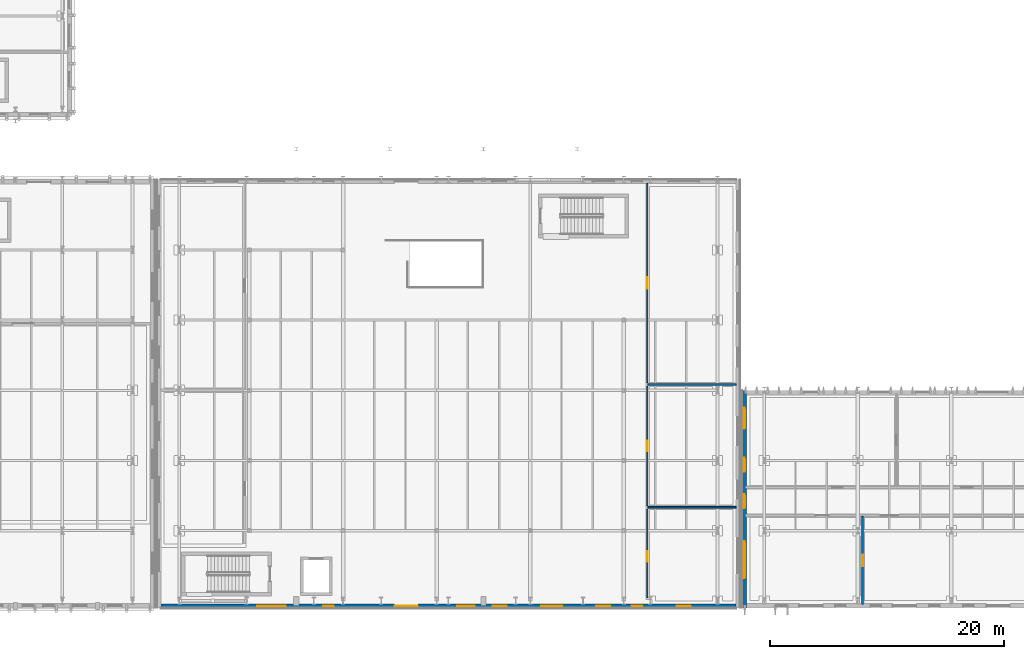
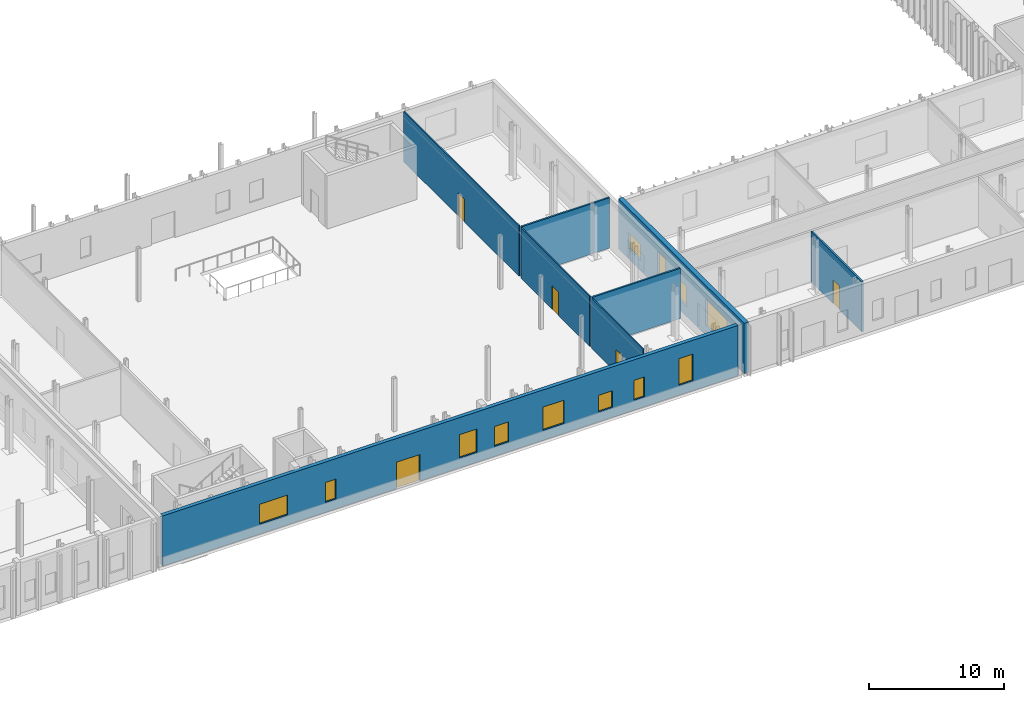
# One storey, part 26 of 60: 12 windows, 8 walls, 5 doors, 17 openings.
"""IFC4 building model written with IfcOpenShell, lengths in metres."""

from ifc_helpers import new_model, si_unit, direction, frame, frame_2d, origin, place, context, subcontext, project, spatial, rectangle, extrude, material, layer, layer_set, type_object, element, fill, save


model = new_model("IFC4")

# Units and contexts
model_context = context("Model", 3, precision=1e-05, world=origin(), true_north=direction((0.0, 1.0)))
body_context = subcontext(model_context, "Body", "Model", "MODEL_VIEW")
ifc_project = project(units=[si_unit("LENGTHUNIT", "METRE"), si_unit("AREAUNIT", "SQUARE_METRE"), si_unit("VOLUMEUNIT", "CUBIC_METRE"), si_unit("PLANEANGLEUNIT", "RADIAN"), si_unit("MASSUNIT", "GRAM", prefix="KILO")], contexts=[model_context])

# Site, building, storey
site_placement = place(None, origin())
site = spatial("IfcSite", under=ifc_project, at=site_placement, CompositionType="ELEMENT")
building_placement = place(site_placement, origin())
building = spatial("IfcBuilding", under=site, at=building_placement, Name="Cymarion Research Institute", CompositionType="ELEMENT")
storey_placement = place(building_placement, origin())
storey = spatial("IfcBuildingStorey", under=building, at=storey_placement, Name="L00", CompositionType="ELEMENT", Elevation=0.0)

# Wall, openings, windows
ifc_material_1 = material(Name="Precast concrete C40/50", Category="concrete")
ifc_layer_1 = layer(ifc_material_1, 0.3798828125)
ifc_layer_set_1 = layer_set([ifc_layer_1], Name="Precast concrete C40/50")
wall_type_1 = type_object("IfcWallType", Name="EXTERIOR WALL EW-PC380 380MM", PredefinedType="SOLIDWALL", material=ifc_layer_set_1)
wall_1_placement = place(storey_placement, frame((104.889892578125, 23.5, 0.0), z_axis=(0.0, 0.0, 1.0), x_axis=(0.0, -1.0, 0.0)))
wall_1 = element("IfcWall", 1, at=wall_1_placement, inside=storey, type_object=wall_type_1, Name="L00 V1 exterior wall EW-PC380 #54", PredefinedType="SOLIDWALL", context=body_context, shape_type="SweptSolid", body=[
    extrude(rectangle(XDim=18.60009765625, YDim=0.3798828125, at=frame_2d((9.300048828125, 0.0))), origin(), (0.0, 0.0, 1.0), 4.550048828125),
])
opening_1_placement = place(wall_1_placement, frame((1.489990234375, 0.0, 0.89990234375)))
opening_1 = element("IfcOpeningElement", 2, at=opening_1_placement, cuts=wall_1, Name="Opening W17", PredefinedType="OPENING", context=body_context, shape_type="SweptSolid", body=[
    extrude(rectangle(XDim=1.800048828125, YDim=1.5, at=frame_2d((0.89990234375, 0.75))), frame((0.0, 0.199951171875, 0.0), z_axis=(0.0, -1.0, 0.0), x_axis=(1.0, 0.0, 0.0)), (0.0, 0.0, 1.0), 0.39990234375),
])
opening_2_placement = place(wall_1_placement, frame((5.77001953125, 0.0, 0.89990234375)))
opening_2 = element("IfcOpeningElement", 3, at=opening_2_placement, cuts=wall_1, Name="Opening W19", PredefinedType="OPENING", context=body_context, shape_type="SweptSolid", body=[
    extrude(rectangle(XDim=1.199951171875, YDim=2.39990234375, at=frame_2d((0.60009765625, 1.199951171875))), frame((0.0, 0.199951171875, 0.0), z_axis=(0.0, -1.0, 0.0), x_axis=(1.0, 0.0, 0.0)), (0.0, 0.0, 1.0), 0.39990234375),
])
opening_3_placement = place(wall_1_placement, frame((8.89990234375, 0.0, 0.89990234375)))
opening_3 = element("IfcOpeningElement", 4, at=opening_3_placement, cuts=wall_1, Name="Opening W01", PredefinedType="OPENING", context=body_context, shape_type="SweptSolid", body=[
    extrude(rectangle(XDim=1.199951171875, YDim=1.800048828125, at=frame_2d((0.60009765625, 0.89990234375))), frame((0.0, 0.199951171875, 0.0), z_axis=(0.0, -1.0, 0.0), x_axis=(1.0, 0.0, 0.0)), (0.0, 0.0, 1.0), 0.39990234375),
])
opening_4_placement = place(wall_1_placement, frame((12.8798828125, 0.0, 0.89990234375)))
opening_4 = element("IfcOpeningElement", 5, at=opening_4_placement, cuts=wall_1, Name="Opening W23", PredefinedType="OPENING", context=body_context, shape_type="SweptSolid", body=[
    extrude(rectangle(XDim=3.199951171875, YDim=2.39990234375, at=frame_2d((1.60009765625, 1.199951171875))), frame((0.0, 0.199951171875, 0.0), z_axis=(0.0, -1.0, 0.0), x_axis=(1.0, 0.0, 0.0)), (0.0, 0.0, 1.0), 0.39990234375),
])
ifc_material_2 = material(Name="Thermally broken aluminium window with Low-E glazing", Category="aluminium")
window_type_1 = type_object("IfcWindowType", Name="THERMALLY BROKEN ALUMINIUM WINDOW W01 1200X1800", PartitioningType="SINGLE_PANEL", PredefinedType="WINDOW", material=ifc_material_2)
window_1_placement = place(opening_3_placement, origin())
window_1 = element("IfcWindow", 6, at=window_1_placement, inside=storey, type_object=window_type_1, Name="L00 V1 facade window W01 #36", OverallHeight=1.800048828125, OverallWidth=1.199951171875, PartitioningType="SINGLE_PANEL", PredefinedType="WINDOW", context=body_context, shape_type="SweptSolid", body=[
    extrude(rectangle(XDim=1.199951171875, YDim=1.800048828125, at=frame_2d((0.60009765625, 0.89990234375))), frame((0.0, 0.030029296875, 0.0), z_axis=(0.0, -1.0, 0.0), x_axis=(1.0, 0.0, 0.0)), (0.0, 0.0, 1.0), 0.06005859375),
])
fill(opening_3, window_1)
window_type_2 = type_object("IfcWindowType", Name="THERMALLY BROKEN ALUMINIUM WINDOW W17 1800X1500", PartitioningType="DOUBLE_PANEL_HORIZONTAL", PredefinedType="WINDOW", material=ifc_material_2)
window_2_placement = place(opening_1_placement, origin())
window_2 = element("IfcWindow", 7, at=window_2_placement, inside=storey, type_object=window_type_2, Name="L00 V1 facade window W17 #34", OverallHeight=1.5, OverallWidth=1.800048828125, PartitioningType="SINGLE_PANEL", PredefinedType="WINDOW", context=body_context, shape_type="SweptSolid", body=[
    extrude(rectangle(XDim=1.800048828125, YDim=1.5, at=frame_2d((0.89990234375, 0.75))), frame((0.0, 0.030029296875, 0.0), z_axis=(0.0, -1.0, 0.0), x_axis=(1.0, 0.0, 0.0)), (0.0, 0.0, 1.0), 0.06005859375),
])
fill(opening_1, window_2)
window_type_3 = type_object("IfcWindowType", Name="THERMALLY BROKEN ALUMINIUM WINDOW W19 1200X2400", PartitioningType="SINGLE_PANEL", PredefinedType="WINDOW", material=ifc_material_2)
window_3_placement = place(opening_2_placement, origin())
window_3 = element("IfcWindow", 8, at=window_3_placement, inside=storey, type_object=window_type_3, Name="L00 V1 facade window W19 #35", OverallHeight=2.39990234375, OverallWidth=1.199951171875, PartitioningType="SINGLE_PANEL", PredefinedType="WINDOW", context=body_context, shape_type="SweptSolid", body=[
    extrude(rectangle(XDim=1.199951171875, YDim=2.39990234375, at=frame_2d((0.60009765625, 1.199951171875))), frame((0.0, 0.030029296875, 0.0), z_axis=(0.0, -1.0, 0.0), x_axis=(1.0, 0.0, 0.0)), (0.0, 0.0, 1.0), 0.06005859375),
])
fill(opening_2, window_3)
window_type_4 = type_object("IfcWindowType", Name="THERMALLY BROKEN ALUMINIUM WINDOW W23 3200X2400", PartitioningType="TRIPLE_PANEL_VERTICAL", PredefinedType="WINDOW", material=ifc_material_2)
window_4_placement = place(opening_4_placement, origin())
window_4 = element("IfcWindow", 9, at=window_4_placement, inside=storey, type_object=window_type_4, Name="L00 V1 facade window W23 #37", OverallHeight=2.39990234375, OverallWidth=3.199951171875, PartitioningType="SINGLE_PANEL", PredefinedType="WINDOW", context=body_context, shape_type="SweptSolid", body=[
    extrude(rectangle(XDim=3.199951171875, YDim=2.39990234375, at=frame_2d((1.60009765625, 1.199951171875))), frame((0.0, 0.030029296875, 0.0), z_axis=(0.0, -1.0, 0.0), x_axis=(1.0, 0.0, 0.0)), (0.0, 0.0, 1.0), 0.06005859375),
])
fill(opening_4, window_4)

# Wall, openings, door, windows
ifc_material_3 = material(Name="Concrete C40/50", Category="concrete")
ifc_layer_2 = layer(ifc_material_3, 0.320068359375)
ifc_layer_set_2 = layer_set([ifc_layer_2], Name="Concrete C40/50")
wall_type_2 = type_object("IfcWallType", Name="EXTERIOR WALL EW-RC320 320MM", PredefinedType="SHEAR", material=ifc_layer_set_2)
wall_2_placement = place(storey_placement, frame((55.001953125, 5.06005859375, 0.0), z_axis=(0.0, 0.0, 1.0), x_axis=(1.0, 0.0, 0.0)))
wall_2 = element("IfcWall", 10, at=wall_2_placement, inside=storey, type_object=wall_type_2, Name="L00 V2 exterior wall EW-RC320 #55", PredefinedType="SHEAR", context=body_context, shape_type="SweptSolid", body=[
    extrude(rectangle(XDim=49.196044921875, YDim=0.320068359375, at=frame_2d((24.59814453125, 0.0))), origin(), (0.0, 0.0, 1.0), 4.550048828125),
])
opening_5_placement = place(wall_2_placement, frame((19.998046875, 0.0, 0.0)))
opening_5 = element("IfcOpeningElement", 11, at=opening_5_placement, cuts=wall_2, Name="Opening D-EX06", PredefinedType="OPENING", context=body_context, shape_type="SweptSolid", body=[
    extrude(rectangle(XDim=2.0, YDim=2.39990234375, at=frame_2d((1.0, 1.199951171875))), frame((0.0, 0.169921875, 0.0), z_axis=(0.0, -1.0, 0.0), x_axis=(1.0, 0.0, 0.0)), (0.0, 0.0, 1.0), 0.340087890625),
])
opening_6_placement = place(wall_2_placement, frame((8.282958984375, 0.0, 0.89990234375)))
opening_6 = element("IfcOpeningElement", 12, at=opening_6_placement, cuts=wall_2, Name="Opening W05", PredefinedType="OPENING", context=body_context, shape_type="SweptSolid", body=[
    extrude(rectangle(XDim=2.39990234375, YDim=1.800048828125, at=frame_2d((1.199951171875, 0.89990234375))), frame((0.0, 0.169921875, 0.0), z_axis=(0.0, -1.0, 0.0), x_axis=(1.0, 0.0, 0.0)), (0.0, 0.0, 1.0), 0.340087890625),
])
opening_7_placement = place(wall_2_placement, frame((13.89794921875, 0.0, 0.89990234375)))
opening_7 = element("IfcOpeningElement", 13, at=opening_7_placement, cuts=wall_2, Name="Opening W24", PredefinedType="OPENING", context=body_context, shape_type="SweptSolid", body=[
    extrude(rectangle(XDim=0.89990234375, YDim=1.800048828125, at=frame_2d((0.449951171875, 0.89990234375))), frame((0.0, 0.169921875, 0.0), z_axis=(0.0, -1.0, 0.0), x_axis=(1.0, 0.0, 0.0)), (0.0, 0.0, 1.0), 0.340087890625),
])
opening_8_placement = place(wall_2_placement, frame((25.347900390625, 0.0, 0.89990234375)))
opening_8 = element("IfcOpeningElement", 14, at=opening_8_placement, cuts=wall_2, Name="Opening W09", PredefinedType="OPENING", context=body_context, shape_type="SweptSolid", body=[
    extrude(rectangle(XDim=1.5, YDim=2.10009765625, at=frame_2d((0.75, 1.050048828125))), frame((0.0, 0.169921875, 0.0), z_axis=(0.0, -1.0, 0.0), x_axis=(1.0, 0.0, 0.0)), (0.0, 0.0, 1.0), 0.340087890625),
])
opening_9_placement = place(wall_2_placement, frame((28.373046875, 0.0, 0.89990234375)))
opening_9 = element("IfcOpeningElement", 15, at=opening_9_placement, cuts=wall_2, Name="Opening W01", PredefinedType="OPENING", context=body_context, shape_type="SweptSolid", body=[
    extrude(rectangle(XDim=1.199951171875, YDim=1.800048828125, at=frame_2d((0.60009765625, 0.89990234375))), frame((0.0, 0.169921875, 0.0), z_axis=(0.0, -1.0, 0.0), x_axis=(1.0, 0.0, 0.0)), (0.0, 0.0, 1.0), 0.340087890625),
])
opening_10_placement = place(wall_2_placement, frame((32.51806640625, 0.0, 0.89990234375)))
opening_10 = element("IfcOpeningElement", 16, at=opening_10_placement, cuts=wall_2, Name="Opening W10", PredefinedType="OPENING", context=body_context, shape_type="SweptSolid", body=[
    extrude(rectangle(XDim=1.800048828125, YDim=2.10009765625, at=frame_2d((0.89990234375, 1.050048828125))), frame((0.0, 0.169921875, 0.0), z_axis=(0.0, -1.0, 0.0), x_axis=(1.0, 0.0, 0.0)), (0.0, 0.0, 1.0), 0.340087890625),
])
opening_11_placement = place(wall_2_placement, frame((37.248046875, 0.0, 0.89990234375)))
opening_11 = element("IfcOpeningElement", 17, at=opening_11_placement, cuts=wall_2, Name="Opening W15", PredefinedType="OPENING", context=body_context, shape_type="SweptSolid", body=[
    extrude(rectangle(XDim=1.199951171875, YDim=1.5, at=frame_2d((0.60009765625, 0.75))), frame((0.0, 0.169921875, 0.0), z_axis=(0.0, -1.0, 0.0), x_axis=(1.0, 0.0, 0.0)), (0.0, 0.0, 1.0), 0.340087890625),
])
opening_12_placement = place(wall_2_placement, frame((40.26806640625, 0.0, 0.89990234375)))
opening_12 = element("IfcOpeningElement", 18, at=opening_12_placement, cuts=wall_2, Name="Opening W24", PredefinedType="OPENING", context=body_context, shape_type="SweptSolid", body=[
    extrude(rectangle(XDim=0.89990234375, YDim=1.800048828125, at=frame_2d((0.449951171875, 0.89990234375))), frame((0.0, 0.169921875, 0.0), z_axis=(0.0, -1.0, 0.0), x_axis=(1.0, 0.0, 0.0)), (0.0, 0.0, 1.0), 0.340087890625),
])
opening_13_placement = place(wall_2_placement, frame((44.123046875, 0.0, 0.89990234375)))
opening_13 = element("IfcOpeningElement", 19, at=opening_13_placement, cuts=wall_2, Name="Opening W19", PredefinedType="OPENING", context=body_context, shape_type="SweptSolid", body=[
    extrude(rectangle(XDim=1.199951171875, YDim=2.39990234375, at=frame_2d((0.60009765625, 1.199951171875))), frame((0.0, 0.169921875, 0.0), z_axis=(0.0, -1.0, 0.0), x_axis=(1.0, 0.0, 0.0)), (0.0, 0.0, 1.0), 0.340087890625),
])
ifc_material_4 = material(Name="Thermally broken anodised aluminium glazed door", Category="aluminium")
door_type_1 = type_object("IfcDoorType", Name="GLAZED ALUMINIUM DOUBLE EXIT DOOR DT-EX200 2000X2400", OperationType="DOUBLE_DOOR_SINGLE_SWING", PredefinedType="DOOR", material=ifc_material_4)
door_1_placement = place(opening_5_placement, frame((2.0, 0.0, 0.0), z_axis=(0.0, 0.0, 1.0), x_axis=(-1.0, 0.0, 0.0)))
door_1 = element("IfcDoor", 20, at=door_1_placement, inside=storey, type_object=door_type_1, Name="L00 V2 Final Exit Door D-EX06", OperationType="DOUBLE_DOOR_SINGLE_SWING", OverallHeight=2.39990234375, OverallWidth=2.0, PredefinedType="DOOR", context=body_context, shape_type="SweptSolid", body=[
    extrude(rectangle(XDim=2.0, YDim=2.39990234375, at=frame_2d((1.0, 1.199951171875))), frame((0.0, 0.02490234375, 0.0), z_axis=(0.0, -1.0, 0.0), x_axis=(1.0, 0.0, 0.0)), (0.0, 0.0, 1.0), 0.050048828125),
])
fill(opening_5, door_1)
window_5_placement = place(opening_9_placement, origin())
window_5 = element("IfcWindow", 21, at=window_5_placement, inside=storey, type_object=window_type_1, Name="L00 V2 facade window W01 #41", OverallHeight=1.800048828125, OverallWidth=1.199951171875, PartitioningType="SINGLE_PANEL", PredefinedType="WINDOW", context=body_context, shape_type="SweptSolid", body=[
    extrude(rectangle(XDim=1.199951171875, YDim=1.800048828125, at=frame_2d((0.60009765625, 0.89990234375))), frame((0.0, 0.030029296875, 0.0), z_axis=(0.0, -1.0, 0.0), x_axis=(1.0, 0.0, 0.0)), (0.0, 0.0, 1.0), 0.06005859375),
])
fill(opening_9, window_5)
window_type_5 = type_object("IfcWindowType", Name="THERMALLY BROKEN ALUMINIUM WINDOW W05 2400X1800", PartitioningType="TRIPLE_PANEL_VERTICAL", PredefinedType="WINDOW", material=ifc_material_2)
window_6_placement = place(opening_6_placement, origin())
window_6 = element("IfcWindow", 22, at=window_6_placement, inside=storey, type_object=window_type_5, Name="L00 V2 facade window W05 #38", OverallHeight=1.800048828125, OverallWidth=2.39990234375, PartitioningType="SINGLE_PANEL", PredefinedType="WINDOW", context=body_context, shape_type="SweptSolid", body=[
    extrude(rectangle(XDim=2.39990234375, YDim=1.800048828125, at=frame_2d((1.199951171875, 0.89990234375))), frame((0.0, 0.030029296875, 0.0), z_axis=(0.0, -1.0, 0.0), x_axis=(1.0, 0.0, 0.0)), (0.0, 0.0, 1.0), 0.06005859375),
])
fill(opening_6, window_6)
window_type_6 = type_object("IfcWindowType", Name="THERMALLY BROKEN ALUMINIUM WINDOW W09 1500X2100", PartitioningType="DOUBLE_PANEL_VERTICAL", PredefinedType="WINDOW", material=ifc_material_2)
window_7_placement = place(opening_8_placement, origin())
window_7 = element("IfcWindow", 23, at=window_7_placement, inside=storey, type_object=window_type_6, Name="L00 V2 facade window W09 #40", OverallHeight=2.10009765625, OverallWidth=1.5, PartitioningType="SINGLE_PANEL", PredefinedType="WINDOW", context=body_context, shape_type="SweptSolid", body=[
    extrude(rectangle(XDim=1.5, YDim=2.10009765625, at=frame_2d((0.75, 1.050048828125))), frame((0.0, 0.030029296875, 0.0), z_axis=(0.0, -1.0, 0.0), x_axis=(1.0, 0.0, 0.0)), (0.0, 0.0, 1.0), 0.06005859375),
])
fill(opening_8, window_7)
window_type_7 = type_object("IfcWindowType", Name="THERMALLY BROKEN ALUMINIUM WINDOW W10 1800X2100", PartitioningType="DOUBLE_PANEL_VERTICAL", PredefinedType="WINDOW", material=ifc_material_2)
window_8_placement = place(opening_10_placement, origin())
window_8 = element("IfcWindow", 24, at=window_8_placement, inside=storey, type_object=window_type_7, Name="L00 V2 facade window W10 #42", OverallHeight=2.10009765625, OverallWidth=1.800048828125, PartitioningType="SINGLE_PANEL", PredefinedType="WINDOW", context=body_context, shape_type="SweptSolid", body=[
    extrude(rectangle(XDim=1.800048828125, YDim=2.10009765625, at=frame_2d((0.89990234375, 1.050048828125))), frame((0.0, 0.030029296875, 0.0), z_axis=(0.0, -1.0, 0.0), x_axis=(1.0, 0.0, 0.0)), (0.0, 0.0, 1.0), 0.06005859375),
])
fill(opening_10, window_8)
window_type_8 = type_object("IfcWindowType", Name="THERMALLY BROKEN ALUMINIUM WINDOW W15 1200X1500", PartitioningType="SINGLE_PANEL", PredefinedType="WINDOW", material=ifc_material_2)
window_9_placement = place(opening_11_placement, origin())
window_9 = element("IfcWindow", 25, at=window_9_placement, inside=storey, type_object=window_type_8, Name="L00 V2 facade window W15 #43", OverallHeight=1.5, OverallWidth=1.199951171875, PartitioningType="SINGLE_PANEL", PredefinedType="WINDOW", context=body_context, shape_type="SweptSolid", body=[
    extrude(rectangle(XDim=1.199951171875, YDim=1.5, at=frame_2d((0.60009765625, 0.75))), frame((0.0, 0.030029296875, 0.0), z_axis=(0.0, -1.0, 0.0), x_axis=(1.0, 0.0, 0.0)), (0.0, 0.0, 1.0), 0.06005859375),
])
fill(opening_11, window_9)
window_10_placement = place(opening_13_placement, origin())
window_10 = element("IfcWindow", 26, at=window_10_placement, inside=storey, type_object=window_type_3, Name="L00 V2 facade window W19 #45", OverallHeight=2.39990234375, OverallWidth=1.199951171875, PartitioningType="SINGLE_PANEL", PredefinedType="WINDOW", context=body_context, shape_type="SweptSolid", body=[
    extrude(rectangle(XDim=1.199951171875, YDim=2.39990234375, at=frame_2d((0.60009765625, 1.199951171875))), frame((0.0, 0.030029296875, 0.0), z_axis=(0.0, -1.0, 0.0), x_axis=(1.0, 0.0, 0.0)), (0.0, 0.0, 1.0), 0.06005859375),
])
fill(opening_13, window_10)
window_type_9 = type_object("IfcWindowType", Name="THERMALLY BROKEN ALUMINIUM WINDOW W24 900X1800", PartitioningType="SINGLE_PANEL", PredefinedType="WINDOW", material=ifc_material_2)
window_11_placement = place(opening_7_placement, origin())
window_11 = element("IfcWindow", 27, at=window_11_placement, inside=storey, type_object=window_type_9, Name="L00 V2 facade window W24 #39", OverallHeight=1.800048828125, OverallWidth=0.89990234375, PartitioningType="SINGLE_PANEL", PredefinedType="WINDOW", context=body_context, shape_type="SweptSolid", body=[
    extrude(rectangle(XDim=0.89990234375, YDim=1.800048828125, at=frame_2d((0.449951171875, 0.89990234375))), frame((0.0, 0.030029296875, 0.0), z_axis=(0.0, -1.0, 0.0), x_axis=(1.0, 0.0, 0.0)), (0.0, 0.0, 1.0), 0.06005859375),
])
fill(opening_7, window_11)
window_12_placement = place(opening_12_placement, origin())
window_12 = element("IfcWindow", 28, at=window_12_placement, inside=storey, type_object=window_type_9, Name="L00 V2 facade window W24 #44", OverallHeight=1.800048828125, OverallWidth=0.89990234375, PartitioningType="SINGLE_PANEL", PredefinedType="WINDOW", context=body_context, shape_type="SweptSolid", body=[
    extrude(rectangle(XDim=0.89990234375, YDim=1.800048828125, at=frame_2d((0.449951171875, 0.89990234375))), frame((0.0, 0.030029296875, 0.0), z_axis=(0.0, -1.0, 0.0), x_axis=(1.0, 0.0, 0.0)), (0.0, 0.0, 1.0), 0.06005859375),
])
fill(opening_12, window_12)

# Wall, opening, door
ifc_material_5 = material(Name="Gypsum acoustic double-stud partition", Category="gypsum")
ifc_layer_3 = layer(ifc_material_5, 0.14990234375)
ifc_layer_set_3 = layer_set([ifc_layer_3], Name="Gypsum acoustic double-stud partition")
wall_type_3 = type_object("IfcWallType", Name="INTERIOR PARTITION IW-AC150 150MM", PredefinedType="PARTITIONING", material=ifc_layer_set_3)
wall_3_placement = place(storey_placement, frame((115.0, 5.205078125, 0.0), z_axis=(0.0, 0.0, 1.0), x_axis=(0.0, 1.0, 0.0)))
wall_3 = element("IfcWall", 29, at=wall_3_placement, inside=storey, type_object=wall_type_3, Name="L00 V1 interior partition IW-AC150 #56", PredefinedType="PARTITIONING", context=body_context, shape_type="SweptSolid", body=[
    extrude(rectangle(XDim=7.514892578125, YDim=0.14990234375, at=frame_2d((3.75732421875, 0.0))), origin(), (0.0, 0.0, 1.0), 4.550048828125),
])
opening_14_placement = place(wall_3_placement, frame((3.258056640625, 0.0, 0.0)))
opening_14 = element("IfcOpeningElement", 30, at=opening_14_placement, cuts=wall_3, Name="Opening D-L00-040", PredefinedType="OPENING", context=body_context, shape_type="SweptSolid", body=[
    extrude(rectangle(XDim=1.0, YDim=2.14990234375, at=frame_2d((0.5, 1.074951171875))), frame((0.0, 0.0849609375, 0.0), z_axis=(0.0, -1.0, 0.0), x_axis=(1.0, 0.0, 0.0)), (0.0, 0.0, 1.0), 0.169921875),
])
ifc_material_6 = material(Name="Flush acoustic timber/steel door assembly", Category="steel")
door_type_2 = type_object("IfcDoorType", Name="LABORATORY SINGLE LEAF DOOR DT-LB100 1000X2150", OperationType="NOTDEFINED", PredefinedType="DOOR", material=ifc_material_6)
door_2_placement = place(opening_14_placement, origin())
door_2 = element("IfcDoor", 31, at=door_2_placement, inside=storey, type_object=door_type_2, Name="L00 Inter-lab door D-L00-040", OperationType="SINGLE_SWING_LEFT", OverallHeight=2.14990234375, OverallWidth=1.0, PredefinedType="DOOR", context=body_context, shape_type="SweptSolid", body=[
    extrude(rectangle(XDim=1.0, YDim=2.14990234375, at=frame_2d((0.5, 1.074951171875))), frame((0.0, 0.02490234375, 0.0), z_axis=(0.0, -1.0, 0.0), x_axis=(1.0, 0.0, 0.0)), (0.0, 0.0, 1.0), 0.050048828125),
])
fill(opening_14, door_2)

# Walls
for number, where, z_axis, x_axis, name in (
    (32, (96.64990234375, 13.5, 0.0), (0.0, 0.0, 1.0), (1.0, 0.0, 0.0), "L00 V2 interior partition IW-AC150 #68"),
    (33, (96.64990234375, 24.0, 0.0), (0.0, 0.0, 1.0), (1.0, 0.0, 0.0), "L00 V2 interior partition IW-AC150 #69"),
):
    element("IfcWall", number, at=place(storey_placement, frame(where, z_axis=z_axis, x_axis=x_axis)), inside=storey, type_object=wall_type_3, Name=name, PredefinedType="PARTITIONING", context=body_context, shape_type="SweptSolid", body=[
        extrude(rectangle(XDim=7.545166015625, YDim=0.14990234375, at=frame_2d((3.7724609375, 0.0))), origin(), (0.0, 0.0, 1.0), 4.550048828125),
    ])

# Wall, opening, door
ifc_material_7 = material(Name="Framed acoustic glass laboratory screen", Category="glass")
ifc_layer_4 = layer(ifc_material_7, 0.10009765625)
ifc_layer_set_4 = layer_set([ifc_layer_4], Name="Framed acoustic glass laboratory screen")
wall_type_4 = type_object("IfcWallType", Name="INTERIOR PARTITION IW-GL100 100MM", PredefinedType="PARTITIONING", material=ifc_layer_set_4)
wall_4_placement = place(storey_placement, frame((96.60009765625, 5.75, 0.0), z_axis=(0.0, 0.0, 1.0), x_axis=(0.0, 1.0, 0.0)))
wall_4 = element("IfcWall", 34, at=wall_4_placement, inside=storey, type_object=wall_type_4, Name="L00 V2 interior partition IW-GL100 #70", PredefinedType="PARTITIONING", context=body_context, shape_type="SweptSolid", body=[
    extrude(rectangle(XDim=7.60009765625, YDim=0.10009765625, at=frame_2d((3.800048828125, 0.0))), origin(), (0.0, 0.0, 1.0), 4.550048828125),
])
opening_15_placement = place(wall_4_placement, frame((3.110107421875, 0.0, 0.0)))
opening_15 = element("IfcOpeningElement", 35, at=opening_15_placement, cuts=wall_4, Name="Opening D-L00-049", PredefinedType="OPENING", context=body_context, shape_type="SweptSolid", body=[
    extrude(rectangle(XDim=0.89990234375, YDim=2.10009765625, at=frame_2d((0.449951171875, 1.050048828125))), frame((0.0, 0.06005859375, 0.0), z_axis=(0.0, -1.0, 0.0), x_axis=(1.0, 0.0, 0.0)), (0.0, 0.0, 1.0), 0.1201171875),
])
door_type_3 = type_object("IfcDoorType", Name="ACCESSIBLE RESTROOM DOOR DT-WC090 900X2100", OperationType="NOTDEFINED", PredefinedType="DOOR", material=ifc_material_6)
door_3_placement = place(opening_15_placement, origin())
door_3 = element("IfcDoor", 36, at=door_3_placement, inside=storey, type_object=door_type_3, Name="L00 Public Restroom door D-L00-049", OperationType="SINGLE_SWING_RIGHT", OverallHeight=2.10009765625, OverallWidth=0.89990234375, PredefinedType="DOOR", context=body_context, shape_type="SweptSolid", body=[
    extrude(rectangle(XDim=0.89990234375, YDim=2.10009765625, at=frame_2d((0.449951171875, 1.050048828125))), frame((0.0, 0.02490234375, 0.0), z_axis=(0.0, -1.0, 0.0), x_axis=(1.0, 0.0, 0.0)), (0.0, 0.0, 1.0), 0.050048828125),
])
fill(opening_15, door_3)

wall_5_placement = place(storey_placement, frame((96.60009765625, 13.64990234375, 0.0), z_axis=(0.0, 0.0, 1.0), x_axis=(0.0, 1.0, 0.0)))
wall_5 = element("IfcWall", 37, at=wall_5_placement, inside=storey, type_object=wall_type_4, Name="L00 V2 interior partition IW-GL100 #71", PredefinedType="PARTITIONING", context=body_context, shape_type="SweptSolid", body=[
    extrude(rectangle(XDim=10.2001953125, YDim=0.10009765625, at=frame_2d((5.10009765625, 0.0))), origin(), (0.0, 0.0, 1.0), 4.550048828125),
])
opening_16_placement = place(wall_5_placement, frame((4.64990234375, 0.0, 0.0)))
opening_16 = element("IfcOpeningElement", 38, at=opening_16_placement, cuts=wall_5, Name="Opening D-L00-050", PredefinedType="OPENING", context=body_context, shape_type="SweptSolid", body=[
    extrude(rectangle(XDim=0.89990234375, YDim=2.10009765625, at=frame_2d((0.449951171875, 1.050048828125))), frame((0.0, 0.06005859375, 0.0), z_axis=(0.0, -1.0, 0.0), x_axis=(1.0, 0.0, 0.0)), (0.0, 0.0, 1.0), 0.1201171875),
])
door_type_4 = type_object("IfcDoorType", Name="RESEARCH WRITE-UP OFFICE DOOR DT-OF090 900X2100", OperationType="NOTDEFINED", PredefinedType="DOOR", material=ifc_material_6)
door_4_placement = place(opening_16_placement, origin())
door_4 = element("IfcDoor", 39, at=door_4_placement, inside=storey, type_object=door_type_4, Name="L00 Seminar door D-L00-050", OperationType="SINGLE_SWING_LEFT", OverallHeight=2.10009765625, OverallWidth=0.89990234375, PredefinedType="DOOR", context=body_context, shape_type="SweptSolid", body=[
    extrude(rectangle(XDim=0.89990234375, YDim=2.10009765625, at=frame_2d((0.449951171875, 1.050048828125))), frame((0.0, 0.02490234375, 0.0), z_axis=(0.0, -1.0, 0.0), x_axis=(1.0, 0.0, 0.0)), (0.0, 0.0, 1.0), 0.050048828125),
])
fill(opening_16, door_4)

wall_6_placement = place(storey_placement, frame((96.60009765625, 24.14990234375, 0.0), z_axis=(0.0, 0.0, 1.0), x_axis=(0.0, 1.0, 0.0)))
wall_6 = element("IfcWall", 40, at=wall_6_placement, inside=storey, type_object=wall_type_4, Name="L00 V2 interior partition IW-GL100 #72", PredefinedType="PARTITIONING", context=body_context, shape_type="SweptSolid", body=[
    extrude(rectangle(XDim=17.045166015625, YDim=0.10009765625, at=frame_2d((8.5224609375, 0.0))), origin(), (0.0, 0.0, 1.0), 4.550048828125),
])
opening_17_placement = place(wall_6_placement, frame((8.048095703125, 0.0, 0.0)))
opening_17 = element("IfcOpeningElement", 41, at=opening_17_placement, cuts=wall_6, Name="Opening D-L00-051", PredefinedType="OPENING", context=body_context, shape_type="SweptSolid", body=[
    extrude(rectangle(XDim=0.949951171875, YDim=2.10009765625, at=frame_2d((0.47509765625, 1.050048828125))), frame((0.0, 0.06005859375, 0.0), z_axis=(0.0, -1.0, 0.0), x_axis=(1.0, 0.0, 0.0)), (0.0, 0.0, 1.0), 0.1201171875),
])
door_type_5 = type_object("IfcDoorType", Name="FACULTY STUDY DOOR DT-OF095 950X2100", OperationType="NOTDEFINED", PredefinedType="DOOR", material=ifc_material_6)
door_5_placement = place(opening_17_placement, origin())
door_5 = element("IfcDoor", 42, at=door_5_placement, inside=storey, type_object=door_type_5, Name="L00 Reading door D-L00-051", OperationType="SINGLE_SWING_RIGHT", OverallHeight=2.10009765625, OverallWidth=0.949951171875, PredefinedType="DOOR", context=body_context, shape_type="SweptSolid", body=[
    extrude(rectangle(XDim=0.949951171875, YDim=2.10009765625, at=frame_2d((0.47509765625, 1.050048828125))), frame((0.0, 0.02490234375, 0.0), z_axis=(0.0, -1.0, 0.0), x_axis=(1.0, 0.0, 0.0)), (0.0, 0.0, 1.0), 0.050048828125),
])
fill(opening_17, door_5)

save(model, "model.ifc")
